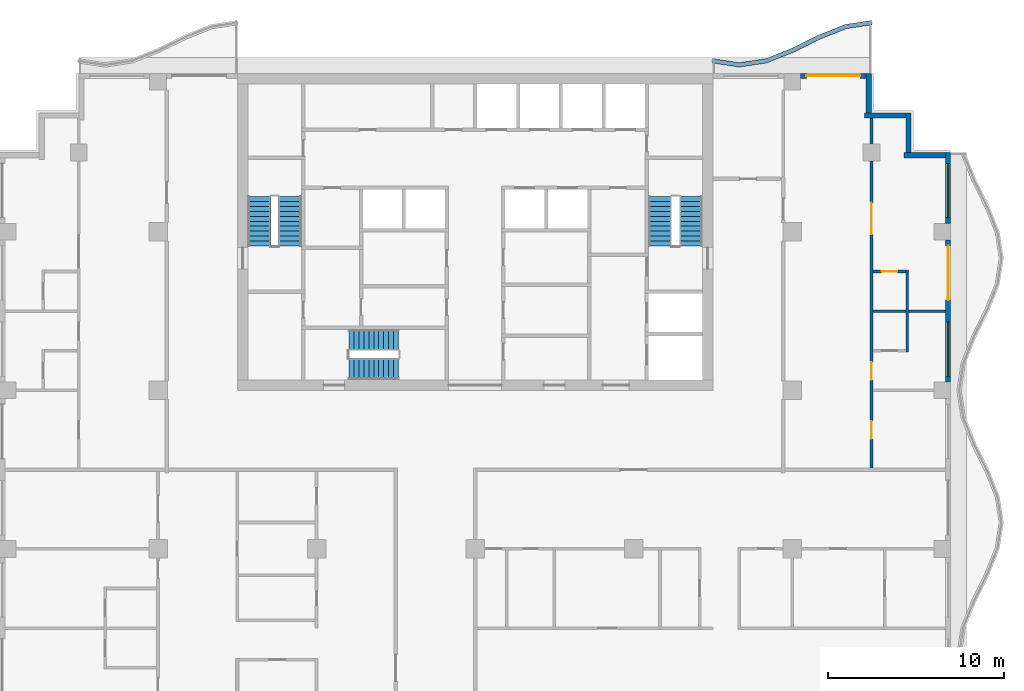
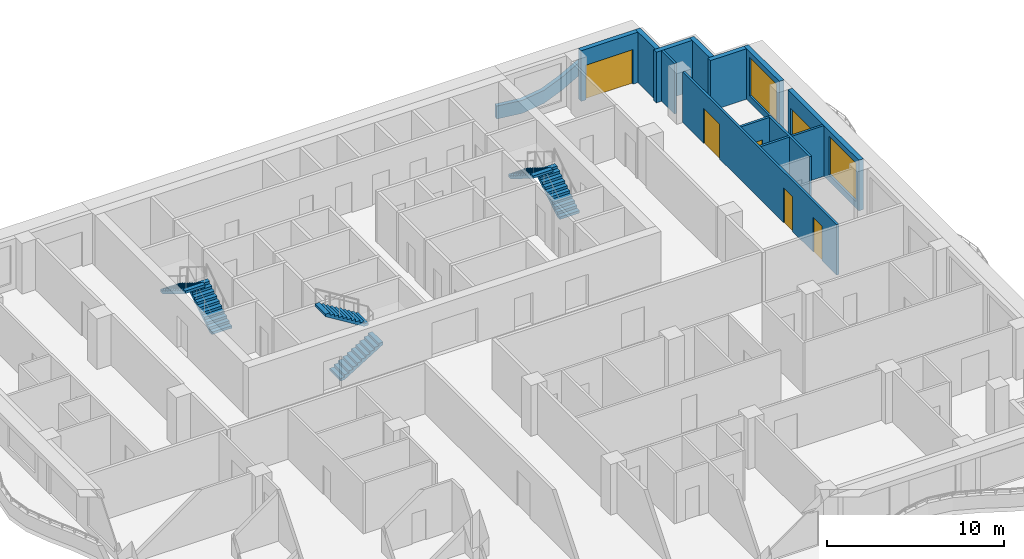
# One storey, part 7 of 11: 14 walls, 6 doors, 6 stair flights, 2 windows, 8 openings, 3 elements without a shape of their own.
"""IFC4 building model written with IfcOpenShell, lengths in metres."""

from ifc_helpers import new_model, si_unit, direction, frame, frame_2d, origin, place, context, subcontext, project, spatial, polyline, rectangle, outline, extrude, material, layer, layer_set, type_object, element, fill, aggregate, save


model = new_model("IFC4")

# Units and contexts
model_context = context("Model", 3, precision=1e-05, world=origin(), true_north=direction((0.0, 1.0)))
body_context = subcontext(model_context, "Body", "Model", "MODEL_VIEW")
ifc_project = project(units=[si_unit("LENGTHUNIT", "METRE"), si_unit("AREAUNIT", "SQUARE_METRE"), si_unit("VOLUMEUNIT", "CUBIC_METRE"), si_unit("PLANEANGLEUNIT", "RADIAN"), si_unit("MASSUNIT", "GRAM", prefix="KILO")], contexts=[model_context])

# Site, building, storey
site_placement = place(None, origin())
site = spatial("IfcSite", under=ifc_project, at=site_placement, CompositionType="ELEMENT")
building_placement = place(site_placement, origin())
building = spatial("IfcBuilding", under=site, at=building_placement, Name="Orbiselva Terraces", CompositionType="ELEMENT")
storey_placement = place(building_placement, frame((0.0, 0.0, 218.6)))
storey = spatial("IfcBuildingStorey", under=building, at=storey_placement, Name="L55", CompositionType="ELEMENT", Elevation=218.6)

# Wall
ifc_material_1 = material(Name="Concrete C40/50", Category="concrete")
ifc_layer_1 = layer(ifc_material_1, 0.25)
ifc_layer_set_1 = layer_set([ifc_layer_1], Name="Concrete C40/50")
wall_type_1 = type_object("IfcWallType", Name="ENV-PLANTER-250x900", PredefinedType="USERDEFINED", material=ifc_layer_set_1)
wall_1_placement = place(storey_placement, origin())
element("IfcWall", 1, at=wall_1_placement, inside=storey, type_object=wall_type_1, Name="Balcony planter L55 NE", ObjectType="PLANTER", PredefinedType="USERDEFINED", context=body_context, shape_type="SweptSolid", body=[
    extrude(outline(polyline([(22.5, 25.5), (21.0, 25.27082), (19.5, 24.67082), (18.0, 23.92918), (16.5, 23.32918), (15.0, 23.1), (13.5, 23.32918), (13.462242, 23.082048), (15.0, 22.847099), (16.566166, 23.086388), (18.101983, 23.700715), (19.601983, 24.442355), (21.066166, 25.028028), (22.537758, 25.252868), (22.5, 25.5)])), origin(), (0.0, 0.0, 1.0), 0.9),
])

# Wall, openings, door, window
ifc_material_2 = material(Name="Terracotta cladding on masonry backing", Category="masonry")
ifc_layer_2 = layer(ifc_material_2, 0.3)
ifc_layer_set_2 = layer_set([ifc_layer_2], Name="Terracotta cladding on masonry backing")
wall_type_2 = type_object("IfcWallType", Name="ENV-WALL-TERRACOTTA-300", PredefinedType="SOLIDWALL", material=ifc_layer_set_2)
wall_2_placement = place(storey_placement, frame((26.85, 13.025, 0.0), z_axis=(0.0, 0.0, 1.0), x_axis=(0.0, -1.0, 0.0)))
wall_2 = element("IfcWall", 2, at=wall_2_placement, inside=storey, type_object=wall_type_2, Name="Facade wall L55 E", PredefinedType="SOLIDWALL", context=body_context, shape_type="SweptSolid", body=[
    extrude(rectangle(XDim=8.05, YDim=0.3, at=frame_2d((4.025, 0.0))), origin(), (0.0, 0.0, 1.0), 3.5),
])
opening_1_placement = place(wall_2_placement, frame((4.65, 0.0, 0.45)))
opening_1 = element("IfcOpeningElement", 3, at=opening_1_placement, cuts=wall_2, Name="Opening WN15", PredefinedType="OPENING", context=body_context, shape_type="SweptSolid", body=[
    extrude(rectangle(XDim=3.075, YDim=2.65, at=frame_2d((1.5375, 1.325))), frame((0.0, 0.16, 0.0), z_axis=(0.0, -1.0, 0.0), x_axis=(1.0, 0.0, 0.0)), (0.0, 0.0, 1.0), 0.32),
])
opening_2_placement = place(wall_2_placement, frame((0.325, 0.0, 0.0)))
opening_2 = element("IfcOpeningElement", 4, at=opening_2_placement, cuts=wall_2, Name="Opening Z4-D-E07", PredefinedType="OPENING", context=body_context, shape_type="SweptSolid", body=[
    extrude(rectangle(XDim=3.075, YDim=2.4, at=frame_2d((1.5375, 1.2))), frame((0.0, 0.16, 0.0), z_axis=(0.0, -1.0, 0.0), x_axis=(1.0, 0.0, 0.0)), (0.0, 0.0, 1.0), 0.32),
])
ifc_material_3 = material(Name="Clear low-e glazing in aluminium frame", Category="aluminium")
door_type_1 = type_object("IfcDoorType", Name="BALCONY DOOR 3075 X 2400", OperationType="DOUBLE_DOOR_SLIDING", PredefinedType="DOOR", material=ifc_material_3)
door_1_placement = place(opening_2_placement, origin())
door_1 = element("IfcDoor", 5, at=door_1_placement, inside=storey, type_object=door_type_1, Name="Z4-D-E07", OperationType="SINGLE_SWING_LEFT", OverallHeight=2.4, OverallWidth=3.075, PredefinedType="DOOR", context=body_context, shape_type="SweptSolid", body=[
    extrude(rectangle(XDim=3.075, YDim=2.4, at=frame_2d((1.5375, 1.2))), frame((0.0, 0.025, 0.0), z_axis=(0.0, -1.0, 0.0), x_axis=(1.0, 0.0, 0.0)), (0.0, 0.0, 1.0), 0.05),
])
fill(opening_2, door_1)
window_type = type_object("IfcWindowType", Name="WINDOW 3075 X 2650 S450", PartitioningType="TRIPLE_PANEL_VERTICAL", PredefinedType="WINDOW", material=ifc_material_3)
window_1_placement = place(opening_1_placement, origin())
window_1 = element("IfcWindow", 6, at=window_1_placement, inside=storey, type_object=window_type, Name="Window L55 E", OverallHeight=2.65, OverallWidth=3.075, PartitioningType="SINGLE_PANEL", PredefinedType="WINDOW", context=body_context, shape_type="SweptSolid", body=[
    extrude(rectangle(XDim=3.075, YDim=2.65, at=frame_2d((1.5375, 1.325))), frame((0.0, 0.03, 0.0), z_axis=(0.0, -1.0, 0.0), x_axis=(1.0, 0.0, 0.0)), (0.0, 0.0, 1.0), 0.06),
])
fill(opening_1, window_1)

# Wall, opening, window
wall_3_placement = place(storey_placement, frame((26.85, 18.0, 0.0), z_axis=(0.0, 0.0, 1.0), x_axis=(0.0, -1.0, 0.0)))
wall_3 = element("IfcWall", 7, at=wall_3_placement, inside=storey, type_object=wall_type_2, Name="Facade wall L55 E", PredefinedType="SOLIDWALL", context=body_context, shape_type="SweptSolid", body=[
    extrude(rectangle(XDim=4.025, YDim=0.3, at=frame_2d((2.0125, 0.0))), origin(), (0.0, 0.0, 1.0), 3.5),
])
opening_3_placement = place(wall_3_placement, frame((0.625, 0.0, 0.45)))
opening_3 = element("IfcOpeningElement", 8, at=opening_3_placement, cuts=wall_3, Name="Opening WN15", PredefinedType="OPENING", context=body_context, shape_type="SweptSolid", body=[
    extrude(rectangle(XDim=3.075, YDim=2.65, at=frame_2d((1.5375, 1.325))), frame((0.0, 0.16, 0.0), z_axis=(0.0, -1.0, 0.0), x_axis=(1.0, 0.0, 0.0)), (0.0, 0.0, 1.0), 0.32),
])
window_2_placement = place(opening_3_placement, origin())
window_2 = element("IfcWindow", 9, at=window_2_placement, inside=storey, type_object=window_type, Name="Window L55 E", OverallHeight=2.65, OverallWidth=3.075, PartitioningType="SINGLE_PANEL", PredefinedType="WINDOW", context=body_context, shape_type="SweptSolid", body=[
    extrude(rectangle(XDim=3.075, YDim=2.65, at=frame_2d((1.5375, 1.325))), frame((0.0, 0.03, 0.0), z_axis=(0.0, -1.0, 0.0), x_axis=(1.0, 0.0, 0.0)), (0.0, 0.0, 1.0), 0.06),
])
fill(opening_3, window_2)

# Walls
wall_4_placement = place(storey_placement, frame((24.35, 17.85, 0.0), z_axis=(0.0, 0.0, 1.0), x_axis=(1.0, 0.0, 0.0)))
element("IfcWall", 10, at=wall_4_placement, inside=storey, type_object=wall_type_2, Name="Facade wall L55 STEP", PredefinedType="SOLIDWALL", context=body_context, shape_type="SweptSolid", body=[
    extrude(rectangle(XDim=2.35, YDim=0.3, at=frame_2d((1.175, 0.0))), origin(), (0.0, 0.0, 1.0), 3.5),
])
wall_5_placement = place(storey_placement, frame((24.6, 20.25, 0.0), z_axis=(0.0, 0.0, 1.0), x_axis=(0.0, -1.0, 0.0)))
element("IfcWall", 11, at=wall_5_placement, inside=storey, type_object=wall_type_2, Name="Facade wall L55 STEP", PredefinedType="SOLIDWALL", context=body_context, shape_type="SweptSolid", body=[
    extrude(rectangle(XDim=2.25, YDim=0.3, at=frame_2d((1.125, 0.0))), origin(), (0.0, 0.0, 1.0), 3.5),
])
wall_6_placement = place(storey_placement, frame((22.1, 20.1, 0.0), z_axis=(0.0, 0.0, 1.0), x_axis=(1.0, 0.0, 0.0)))
element("IfcWall", 12, at=wall_6_placement, inside=storey, type_object=wall_type_2, Name="Facade wall L55 STEP", PredefinedType="SOLIDWALL", context=body_context, shape_type="SweptSolid", body=[
    extrude(rectangle(XDim=2.35, YDim=0.3, at=frame_2d((1.175, 0.0))), origin(), (0.0, 0.0, 1.0), 3.5),
])
wall_7_placement = place(storey_placement, frame((22.35, 22.5, 0.0), z_axis=(0.0, 0.0, 1.0), x_axis=(0.0, -1.0, 0.0)))
element("IfcWall", 13, at=wall_7_placement, inside=storey, type_object=wall_type_2, Name="Facade wall L55 STEP", PredefinedType="SOLIDWALL", context=body_context, shape_type="SweptSolid", body=[
    extrude(rectangle(XDim=2.25, YDim=0.3, at=frame_2d((1.125, 0.0))), origin(), (0.0, 0.0, 1.0), 3.5),
])

# Wall, opening, door
wall_8_placement = place(storey_placement, frame((18.475, 22.35, 0.0), z_axis=(0.0, 0.0, 1.0), x_axis=(1.0, 0.0, 0.0)))
wall_8 = element("IfcWall", 14, at=wall_8_placement, inside=storey, type_object=wall_type_2, Name="Facade wall L55 NE", PredefinedType="SOLIDWALL", context=body_context, shape_type="SweptSolid", body=[
    extrude(rectangle(XDim=3.725, YDim=0.3, at=frame_2d((1.8625, 0.0))), origin(), (0.0, 0.0, 1.0), 3.5),
])
opening_4_placement = place(wall_8_placement, frame((0.325, 0.0, 0.0)))
opening_4 = element("IfcOpeningElement", 15, at=opening_4_placement, cuts=wall_8, Name="Opening Z4-D-E08", PredefinedType="OPENING", context=body_context, shape_type="SweptSolid", body=[
    extrude(rectangle(XDim=3.075, YDim=2.4, at=frame_2d((1.5375, 1.2))), frame((0.0, 0.16, 0.0), z_axis=(0.0, -1.0, 0.0), x_axis=(1.0, 0.0, 0.0)), (0.0, 0.0, 1.0), 0.32),
])
door_2_placement = place(opening_4_placement, origin())
door_2 = element("IfcDoor", 16, at=door_2_placement, inside=storey, type_object=door_type_1, Name="Z4-D-E08", OperationType="SINGLE_SWING_LEFT", OverallHeight=2.4, OverallWidth=3.075, PredefinedType="DOOR", context=body_context, shape_type="SweptSolid", body=[
    extrude(rectangle(XDim=3.075, YDim=2.4, at=frame_2d((1.5375, 1.2))), frame((0.0, 0.025, 0.0), z_axis=(0.0, -1.0, 0.0), x_axis=(1.0, 0.0, 0.0)), (0.0, 0.0, 1.0), 0.05),
])
fill(opening_4, door_2)

# Walls
ifc_material_4 = material(Name="Plasterboard on steel stud partition", Category="steel")
ifc_layer_3 = layer(ifc_material_4, 0.15)
ifc_layer_set_3 = layer_set([ifc_layer_3], Name="Plasterboard on steel stud partition")
wall_type_3 = type_object("IfcWallType", Name="UNIT-PARTITION-150", PredefinedType="PARTITIONING", material=ifc_layer_set_3)
wall_9_placement = place(storey_placement, frame((22.575, 9.0, 0.0), z_axis=(0.0, 0.0, 1.0), x_axis=(1.0, 0.0, 0.0)))
element("IfcWall", 17, at=wall_9_placement, inside=storey, type_object=wall_type_3, Name="PARTITION L55-036", PredefinedType="PARTITIONING", context=body_context, shape_type="SweptSolid", body=[
    extrude(rectangle(XDim=1.875, YDim=0.15, at=frame_2d((0.9375, 0.0))), origin(), (0.0, 0.0, 1.0), 3.5),
])
wall_10_placement = place(storey_placement, frame((24.6, 9.0, 0.0), z_axis=(0.0, 0.0, 1.0), x_axis=(1.0, 0.0, 0.0)))
element("IfcWall", 18, at=wall_10_placement, inside=storey, type_object=wall_type_3, Name="PARTITION L55-037", PredefinedType="PARTITIONING", context=body_context, shape_type="SweptSolid", body=[
    extrude(rectangle(XDim=2.1, YDim=0.15, at=frame_2d((1.05, 0.0))), origin(), (0.0, 0.0, 1.0), 3.5),
])

# Wall, opening, door
wall_11_placement = place(storey_placement, frame((24.45, 11.25, 0.0), z_axis=(0.0, 0.0, 1.0), x_axis=(-1.0, 0.0, 0.0)))
wall_11 = element("IfcWall", 19, at=wall_11_placement, inside=storey, type_object=wall_type_3, Name="PARTITION L55-039", PredefinedType="PARTITIONING", context=body_context, shape_type="SweptSolid", body=[
    extrude(rectangle(XDim=1.875, YDim=0.15, at=frame_2d((0.9375, 0.0))), origin(), (0.0, 0.0, 1.0), 3.5),
])
opening_5_placement = place(wall_11_placement, frame((0.475, 0.0, 0.0)))
opening_5 = element("IfcOpeningElement", 20, at=opening_5_placement, cuts=wall_11, Name="Opening Z4-D-13", PredefinedType="OPENING", context=body_context, shape_type="SweptSolid", body=[
    extrude(rectangle(XDim=0.9, YDim=2.1, at=frame_2d((0.45, 1.05))), frame((0.0, 0.085, 0.0), z_axis=(0.0, -1.0, 0.0), x_axis=(1.0, 0.0, 0.0)), (0.0, 0.0, 1.0), 0.17),
])
ifc_material_5 = material(Name="Painted timber door leaf", Category="wood")
door_type_2 = type_object("IfcDoorType", Name="BATH DOOR 900", OperationType="NOTDEFINED", PredefinedType="DOOR", material=ifc_material_5)
door_3_placement = place(opening_5_placement, origin())
door_3 = element("IfcDoor", 21, at=door_3_placement, inside=storey, type_object=door_type_2, Name="Z4-D-13", OperationType="SINGLE_SWING_LEFT", OverallHeight=2.1, OverallWidth=0.9, PredefinedType="DOOR", context=body_context, shape_type="SweptSolid", body=[
    extrude(rectangle(XDim=0.9, YDim=2.1, at=frame_2d((0.45, 1.05))), frame((0.0, 0.025, 0.0), z_axis=(0.0, -1.0, 0.0), x_axis=(1.0, 0.0, 0.0)), (0.0, 0.0, 1.0), 0.05),
])
fill(opening_5, door_3)

# Wall, openings, doors
wall_12_placement = place(storey_placement, frame((22.5, 17.525, 0.0), z_axis=(0.0, 0.0, 1.0), x_axis=(0.0, -1.0, 0.0)))
wall_12 = element("IfcWall", 22, at=wall_12_placement, inside=storey, type_object=wall_type_3, Name="PARTITION L55-079", PredefinedType="PARTITIONING", context=body_context, shape_type="SweptSolid", body=[
    extrude(rectangle(XDim=17.425, YDim=0.15, at=frame_2d((8.7125, 0.0))), origin(), (0.0, 0.0, 1.0), 3.5),
])
opening_6_placement = place(wall_12_placement, frame((14.775, 0.0, 0.0)))
opening_6 = element("IfcOpeningElement", 23, at=opening_6_placement, cuts=wall_12, Name="Opening Z4-D-09", PredefinedType="OPENING", context=body_context, shape_type="SweptSolid", body=[
    extrude(rectangle(XDim=1.0, YDim=2.4, at=frame_2d((0.5, 1.2))), frame((0.0, 0.085, 0.0), z_axis=(0.0, -1.0, 0.0), x_axis=(1.0, 0.0, 0.0)), (0.0, 0.0, 1.0), 0.17),
])
opening_7_placement = place(wall_12_placement, frame((11.425, 0.0, 0.0)))
opening_7 = element("IfcOpeningElement", 24, at=opening_7_placement, cuts=wall_12, Name="Opening Z4-D-10", PredefinedType="OPENING", context=body_context, shape_type="SweptSolid", body=[
    extrude(rectangle(XDim=1.0, YDim=2.4, at=frame_2d((0.5, 1.2))), frame((0.0, 0.085, 0.0), z_axis=(0.0, -1.0, 0.0), x_axis=(1.0, 0.0, 0.0)), (0.0, 0.0, 1.0), 0.17),
])
opening_8_placement = place(wall_12_placement, frame((2.375, 0.0, 0.0)))
opening_8 = element("IfcOpeningElement", 25, at=opening_8_placement, cuts=wall_12, Name="Opening Z4-D-12", PredefinedType="OPENING", context=body_context, shape_type="SweptSolid", body=[
    extrude(rectangle(XDim=1.8, YDim=2.4, at=frame_2d((0.9, 1.2))), frame((0.0, 0.085, 0.0), z_axis=(0.0, -1.0, 0.0), x_axis=(1.0, 0.0, 0.0)), (0.0, 0.0, 1.0), 0.17),
])
door_type_3 = type_object("IfcDoorType", Name="DOUBLE DOOR 1800", OperationType="NOTDEFINED", PredefinedType="DOOR", material=ifc_material_5)
door_4_placement = place(opening_8_placement, origin())
door_4 = element("IfcDoor", 26, at=door_4_placement, inside=storey, type_object=door_type_3, Name="Z4-D-12", OperationType="DOUBLE_DOOR_SINGLE_SWING", OverallHeight=2.4, OverallWidth=1.8, PredefinedType="DOOR", context=body_context, shape_type="SweptSolid", body=[
    extrude(rectangle(XDim=1.8, YDim=2.4, at=frame_2d((0.9, 1.2))), frame((0.0, 0.025, 0.0), z_axis=(0.0, -1.0, 0.0), x_axis=(1.0, 0.0, 0.0)), (0.0, 0.0, 1.0), 0.05),
])
fill(opening_8, door_4)
door_type_4 = type_object("IfcDoorType", Name="ROOM DOOR 1000", OperationType="NOTDEFINED", PredefinedType="DOOR", material=ifc_material_5)
door_5_placement = place(opening_6_placement, origin())
door_5 = element("IfcDoor", 27, at=door_5_placement, inside=storey, type_object=door_type_4, Name="Z4-D-09", OperationType="SINGLE_SWING_RIGHT", OverallHeight=2.4, OverallWidth=1.0, PredefinedType="DOOR", context=body_context, shape_type="SweptSolid", body=[
    extrude(rectangle(XDim=1.0, YDim=2.4, at=frame_2d((0.5, 1.2))), frame((0.0, 0.025, 0.0), z_axis=(0.0, -1.0, 0.0), x_axis=(1.0, 0.0, 0.0)), (0.0, 0.0, 1.0), 0.05),
])
fill(opening_6, door_5)
door_6_placement = place(opening_7_placement, origin())
door_6 = element("IfcDoor", 28, at=door_6_placement, inside=storey, type_object=door_type_4, Name="Z4-D-10", OperationType="SINGLE_SWING_RIGHT", OverallHeight=2.4, OverallWidth=1.0, PredefinedType="DOOR", context=body_context, shape_type="SweptSolid", body=[
    extrude(rectangle(XDim=1.0, YDim=2.4, at=frame_2d((0.5, 1.2))), frame((0.0, 0.025, 0.0), z_axis=(0.0, -1.0, 0.0), x_axis=(1.0, 0.0, 0.0)), (0.0, 0.0, 1.0), 0.05),
])
fill(opening_7, door_6)

# Walls
wall_13_placement = place(storey_placement, frame((22.5, 18.475, 0.0), z_axis=(0.0, 0.0, 1.0), x_axis=(0.0, 1.0, 0.0)))
element("IfcWall", 29, at=wall_13_placement, inside=storey, type_object=wall_type_3, Name="PARTITION L55-080", PredefinedType="PARTITIONING", context=body_context, shape_type="SweptSolid", body=[
    extrude(rectangle(XDim=1.475, YDim=0.15, at=frame_2d((0.7375, 0.0))), origin(), (0.0, 0.0, 1.0), 3.5),
])
wall_14_placement = place(storey_placement, frame((24.525, 6.675, 0.0), z_axis=(0.0, 0.0, 1.0), x_axis=(0.0, 1.0, 0.0)))
element("IfcWall", 30, at=wall_14_placement, inside=storey, type_object=wall_type_3, Name="PARTITION L55-082", PredefinedType="PARTITIONING", context=body_context, shape_type="SweptSolid", body=[
    extrude(rectangle(XDim=4.65, YDim=0.15, at=frame_2d((2.325, 0.0))), origin(), (0.0, 0.0, 1.0), 3.5),
])

# Stair, stair flights
stair_type_1 = type_object("IfcStairType", Name="CORE-STAIR-1200", PredefinedType="HALF_TURN_STAIR", material=ifc_material_1)
stair_1_placement = place(storey_placement, origin())
stair_1 = element("IfcStair", 31, at=stair_1_placement, inside=storey, type_object=stair_type_1, Name="L55 Exit Stair S3", PredefinedType="HALF_TURN_STAIR")
stair_flight_type_1 = type_object("IfcStairFlightType", Name="CORE-STAIR-FLIGHT-1200", PredefinedType="STRAIGHT", material=ifc_material_1)
stair_flight_1_placement = place(storey_placement, frame((-7.15, 5.7, 0.0), z_axis=(0.0, 0.0, 1.0), x_axis=(1.0, 0.0, 0.0)))
stair_flight_1 = element("IfcStairFlight", 32, at=stair_flight_1_placement, type_object=stair_flight_type_1, Name="S3 flight 1", NumberOfRisers=11, NumberOfTreads=10, PredefinedType="STRAIGHT", RiserHeight=0.172727273, TreadLength=0.28, context=body_context, shape_type="SweptSolid", body=[
    extrude(outline(polyline([(0.0, 0.0), (0.0, 0.172727), (0.28, 0.172727), (0.28, 0.345455), (0.56, 0.345455), (0.56, 0.518182), (0.84, 0.518182), (0.84, 0.690909), (1.12, 0.690909), (1.12, 0.863636), (1.4, 0.863636), (1.4, 1.036364), (1.68, 1.036364), (1.68, 1.209091), (1.96, 1.209091), (1.96, 1.381818), (2.24, 1.381818), (2.24, 1.554545), (2.52, 1.554545), (2.52, 1.727273), (2.8, 1.727273), (2.8, 1.9), (2.8, 1.551028), (0.285702, 0.0), (0.0, 0.0)])), frame((0.0, 0.6, 0.0), z_axis=(0.0, -1.0, 0.0), x_axis=(1.0, 0.0, 0.0)), (0.0, 0.0, 1.0), 1.2),
])
stair_flight_2_placement = place(storey_placement, frame((-4.35, 7.35, 1.9), z_axis=(0.0, 0.0, 1.0), x_axis=(-1.0, 0.0, 0.0)))
stair_flight_2 = element("IfcStairFlight", 33, at=stair_flight_2_placement, type_object=stair_flight_type_1, Name="S3 flight 2", NumberOfRisers=11, NumberOfTreads=10, PredefinedType="STRAIGHT", RiserHeight=0.172727273, TreadLength=0.28, context=body_context, shape_type="SweptSolid", body=[
    extrude(outline(polyline([(0.0, 0.0), (0.0, 0.172727), (0.28, 0.172727), (0.28, 0.345455), (0.56, 0.345455), (0.56, 0.518182), (0.84, 0.518182), (0.84, 0.690909), (1.12, 0.690909), (1.12, 0.863636), (1.4, 0.863636), (1.4, 1.036364), (1.68, 1.036364), (1.68, 1.209091), (1.96, 1.209091), (1.96, 1.381818), (2.24, 1.381818), (2.24, 1.554545), (2.52, 1.554545), (2.52, 1.727273), (2.8, 1.727273), (2.8, 1.9), (2.8, 1.551028), (0.285702, 0.0), (0.0, 0.0)])), frame((0.0, 0.6, 0.0), z_axis=(0.0, -1.0, 0.0), x_axis=(1.0, 0.0, 0.0)), (0.0, 0.0, 1.0), 1.2),
])
aggregate(stair_1, [stair_flight_1, stair_flight_2])

stair_type_2 = type_object("IfcStairType", Name="CORE-STAIR-1300", PredefinedType="HALF_TURN_STAIR", material=ifc_material_1)
stair_2_placement = place(storey_placement, origin())
stair_2 = element("IfcStair", 34, at=stair_2_placement, inside=storey, type_object=stair_type_2, Name="L55 Exit Stair S1", PredefinedType="HALF_TURN_STAIR")
stair_flight_type_2 = type_object("IfcStairFlightType", Name="CORE-STAIR-FLIGHT-1300", PredefinedType="STRAIGHT", material=ifc_material_1)
stair_flight_3_placement = place(storey_placement, frame((-10.5, 12.7, 0.0), z_axis=(0.0, 0.0, 1.0), x_axis=(0.0, 1.0, 0.0)))
stair_flight_3 = element("IfcStairFlight", 35, at=stair_flight_3_placement, type_object=stair_flight_type_2, Name="S1 flight 1", NumberOfRisers=11, NumberOfTreads=10, PredefinedType="STRAIGHT", RiserHeight=0.172727273, TreadLength=0.28, context=body_context, shape_type="SweptSolid", body=[
    extrude(outline(polyline([(0.0, 0.0), (0.0, 0.172727), (0.28, 0.172727), (0.28, 0.345455), (0.56, 0.345455), (0.56, 0.518182), (0.84, 0.518182), (0.84, 0.690909), (1.12, 0.690909), (1.12, 0.863636), (1.4, 0.863636), (1.4, 1.036364), (1.68, 1.036364), (1.68, 1.209091), (1.96, 1.209091), (1.96, 1.381818), (2.24, 1.381818), (2.24, 1.554545), (2.52, 1.554545), (2.52, 1.727273), (2.8, 1.727273), (2.8, 1.9), (2.8, 1.551028), (0.285702, 0.0), (0.0, 0.0)])), frame((0.0, 0.65, 0.0), z_axis=(0.0, -1.0, 0.0), x_axis=(1.0, 0.0, 0.0)), (0.0, 0.0, 1.0), 1.3),
])
stair_flight_4_placement = place(storey_placement, frame((-12.25, 15.5, 1.9), z_axis=(0.0, 0.0, 1.0), x_axis=(0.0, -1.0, 0.0)))
stair_flight_4 = element("IfcStairFlight", 36, at=stair_flight_4_placement, type_object=stair_flight_type_2, Name="S1 flight 2", NumberOfRisers=11, NumberOfTreads=10, PredefinedType="STRAIGHT", RiserHeight=0.172727273, TreadLength=0.28, context=body_context, shape_type="SweptSolid", body=[
    extrude(outline(polyline([(0.0, 0.0), (0.0, 0.172727), (0.28, 0.172727), (0.28, 0.345455), (0.56, 0.345455), (0.56, 0.518182), (0.84, 0.518182), (0.84, 0.690909), (1.12, 0.690909), (1.12, 0.863636), (1.4, 0.863636), (1.4, 1.036364), (1.68, 1.036364), (1.68, 1.209091), (1.96, 1.209091), (1.96, 1.381818), (2.24, 1.381818), (2.24, 1.554545), (2.52, 1.554545), (2.52, 1.727273), (2.8, 1.727273), (2.8, 1.9), (2.8, 1.551028), (0.285702, 0.0), (0.0, 0.0)])), frame((0.0, 0.65, 0.0), z_axis=(0.0, -1.0, 0.0), x_axis=(1.0, 0.0, 0.0)), (0.0, 0.0, 1.0), 1.3),
])
aggregate(stair_2, [stair_flight_3, stair_flight_4])

stair_3_placement = place(storey_placement, origin())
stair_3 = element("IfcStair", 37, at=stair_3_placement, inside=storey, type_object=stair_type_2, Name="L55 Exit Stair S2", PredefinedType="HALF_TURN_STAIR")
stair_flight_5_placement = place(storey_placement, frame((12.25, 12.7, 0.0), z_axis=(0.0, 0.0, 1.0), x_axis=(0.0, 1.0, 0.0)))
stair_flight_5 = element("IfcStairFlight", 38, at=stair_flight_5_placement, type_object=stair_flight_type_2, Name="S2 flight 1", NumberOfRisers=11, NumberOfTreads=10, PredefinedType="STRAIGHT", RiserHeight=0.172727273, TreadLength=0.28, context=body_context, shape_type="SweptSolid", body=[
    extrude(outline(polyline([(0.0, 0.0), (0.0, 0.172727), (0.28, 0.172727), (0.28, 0.345455), (0.56, 0.345455), (0.56, 0.518182), (0.84, 0.518182), (0.84, 0.690909), (1.12, 0.690909), (1.12, 0.863636), (1.4, 0.863636), (1.4, 1.036364), (1.68, 1.036364), (1.68, 1.209091), (1.96, 1.209091), (1.96, 1.381818), (2.24, 1.381818), (2.24, 1.554545), (2.52, 1.554545), (2.52, 1.727273), (2.8, 1.727273), (2.8, 1.9), (2.8, 1.551028), (0.285702, 0.0), (0.0, 0.0)])), frame((0.0, 0.65, 0.0), z_axis=(0.0, -1.0, 0.0), x_axis=(1.0, 0.0, 0.0)), (0.0, 0.0, 1.0), 1.3),
])
stair_flight_6_placement = place(storey_placement, frame((10.5, 15.5, 1.9), z_axis=(0.0, 0.0, 1.0), x_axis=(0.0, -1.0, 0.0)))
stair_flight_6 = element("IfcStairFlight", 39, at=stair_flight_6_placement, type_object=stair_flight_type_2, Name="S2 flight 2", NumberOfRisers=11, NumberOfTreads=10, PredefinedType="STRAIGHT", RiserHeight=0.172727273, TreadLength=0.28, context=body_context, shape_type="SweptSolid", body=[
    extrude(outline(polyline([(0.0, 0.0), (0.0, 0.172727), (0.28, 0.172727), (0.28, 0.345455), (0.56, 0.345455), (0.56, 0.518182), (0.84, 0.518182), (0.84, 0.690909), (1.12, 0.690909), (1.12, 0.863636), (1.4, 0.863636), (1.4, 1.036364), (1.68, 1.036364), (1.68, 1.209091), (1.96, 1.209091), (1.96, 1.381818), (2.24, 1.381818), (2.24, 1.554545), (2.52, 1.554545), (2.52, 1.727273), (2.8, 1.727273), (2.8, 1.9), (2.8, 1.551028), (0.285702, 0.0), (0.0, 0.0)])), frame((0.0, 0.65, 0.0), z_axis=(0.0, -1.0, 0.0), x_axis=(1.0, 0.0, 0.0)), (0.0, 0.0, 1.0), 1.3),
])
aggregate(stair_3, [stair_flight_5, stair_flight_6])

save(model, "model.ifc")
